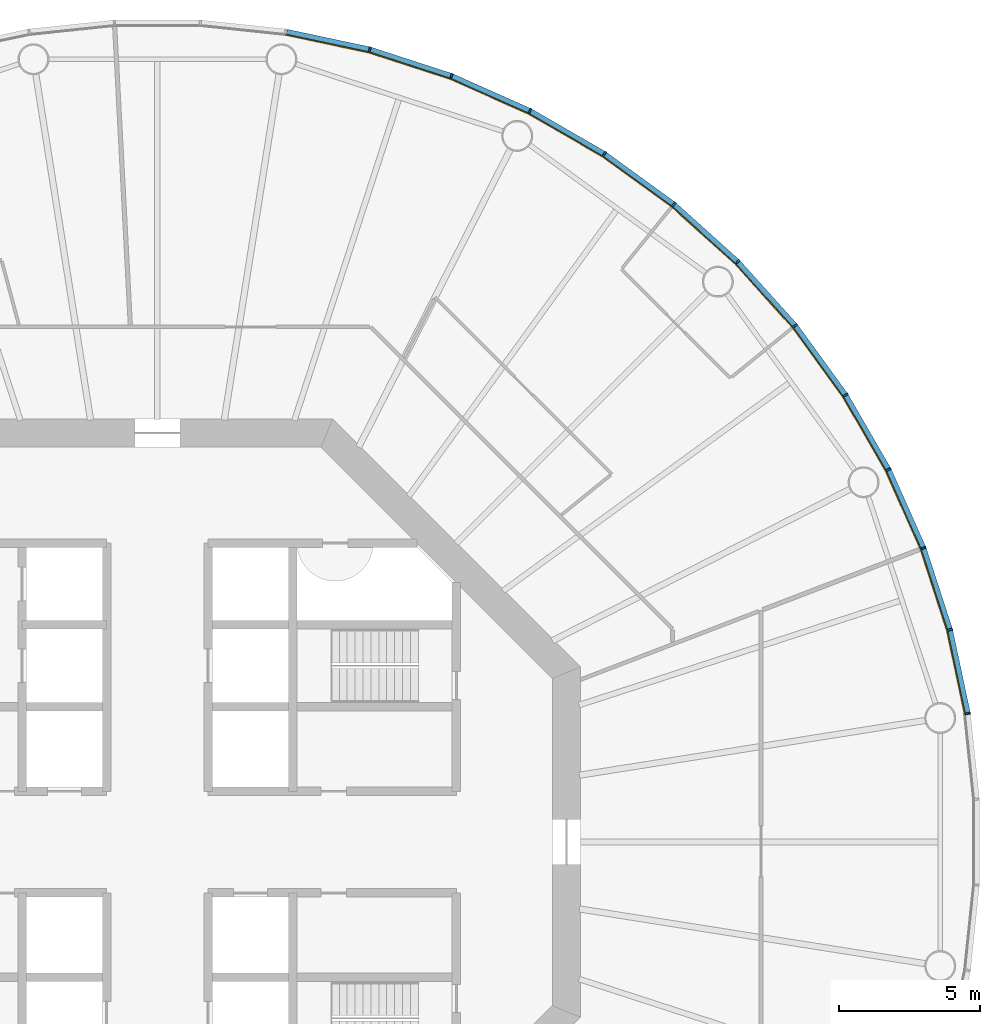
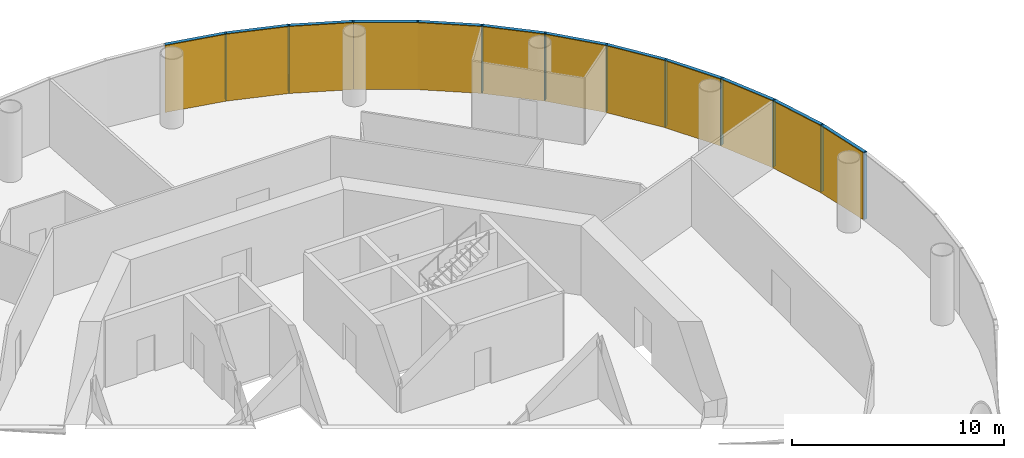
# One storey, part 12 of 13: 24 members, 4 curtain walls.
"""IFC4 building model written with IfcOpenShell, lengths in metres."""

from ifc_helpers import new_model, si_unit, direction, frame, origin, origin_2d, place, context, subcontext, project, spatial, polyline, rectangle, outline, extrude, material, layer, layer_set, material_profile, profile_set, type_object, element, aggregate, save


model = new_model("IFC4")

# Units and contexts
model_context = context("Model", 3, precision=1e-05, world=origin(), true_north=direction((0.0, 1.0)))
body_context = subcontext(model_context, "Body", "Model", "MODEL_VIEW")
ifc_project = project(units=[si_unit("LENGTHUNIT", "METRE"), si_unit("AREAUNIT", "SQUARE_METRE"), si_unit("VOLUMEUNIT", "CUBIC_METRE"), si_unit("PLANEANGLEUNIT", "RADIAN"), si_unit("MASSUNIT", "GRAM", prefix="KILO")], contexts=[model_context])

# Member
ifc_material_1 = material(Name="Anodised aluminium", Category="aluminium")
ifc_material_profile_1 = material_profile(ifc_material_1, rectangle(XDim=0.06494140625, YDim=0.18505859375, at=origin_2d()), Name="Mullion 65 x 185 mm anodised aluminium")
ifc_profile_set_1 = profile_set([ifc_material_profile_1], Name="Anodised aluminium")
member_type_1 = type_object("IfcMemberType", Name="Mullion 65 x 185 mm anodised aluminium", PredefinedType="MULLION", material=ifc_profile_set_1)
site_placement = place(None, origin())
building_placement = place(site_placement, origin())
storey_placement = place(building_placement, frame((0.0, 0.0, 188.0)))
member_1_placement = place(storey_placement, frame((118.734375, 84.551025390625, 0.0), z_axis=(0.0, 0.0, 1.0), x_axis=(-0.15643446504, 0.987688340595, 0.0)))
member_1 = element("IfcMember", 1, at=member_1_placement, type_object=member_type_1, Name="MULLION L43-00", PredefinedType="MULLION", context=body_context, shape_type="SweptSolid", body=[
    extrude(rectangle(XDim=0.06494140625, YDim=0.18505859375, at=origin_2d()), origin(), (0.0, 0.0, 1.0), 3.85009765625),
])

member_2_placement = place(storey_placement, frame((118.101318359375, 87.52978515625, 0.0), z_axis=(0.0, 0.0, 1.0), x_axis=(-0.258819045103, 0.965925826289, 0.0)))
member_2 = element("IfcMember", 2, at=member_2_placement, type_object=member_type_1, Name="MULLION L43-01", PredefinedType="MULLION", context=body_context, shape_type="SweptSolid", body=[
    extrude(rectangle(XDim=0.06494140625, YDim=0.18505859375, at=origin_2d()), origin(), (0.0, 0.0, 1.0), 3.85009765625),
])

member_3_placement = place(storey_placement, frame((117.16015625, 90.42578125, 0.0), z_axis=(0.0, 0.0, 1.0), x_axis=(-0.358367949545, 0.933580426497, 0.0)))
member_3 = element("IfcMember", 3, at=member_3_placement, type_object=member_type_1, Name="MULLION L43-02", PredefinedType="MULLION", context=body_context, shape_type="SweptSolid", body=[
    extrude(rectangle(XDim=0.06494140625, YDim=0.18505859375, at=origin_2d()), origin(), (0.0, 0.0, 1.0), 3.85009765625),
])

member_4_placement = place(storey_placement, frame((115.921630859375, 93.207763671875, 0.0), z_axis=(0.0, 0.0, 1.0), x_axis=(-0.45399049974, 0.891006524188, 0.0)))
member_4 = element("IfcMember", 4, at=member_4_placement, type_object=member_type_1, Name="MULLION L43-03", PredefinedType="MULLION", context=body_context, shape_type="SweptSolid", body=[
    extrude(rectangle(XDim=0.06494140625, YDim=0.18505859375, at=origin_2d()), origin(), (0.0, 0.0, 1.0), 3.85009765625),
])

member_5_placement = place(storey_placement, frame((114.39892578125, 95.844970703125, 0.0), z_axis=(0.0, 0.0, 1.0), x_axis=(-0.544639035015, 0.838670567945, 0.0)))
member_5 = element("IfcMember", 5, at=member_5_placement, type_object=member_type_1, Name="MULLION L43-04", PredefinedType="MULLION", context=body_context, shape_type="SweptSolid", body=[
    extrude(rectangle(XDim=0.06494140625, YDim=0.18505859375, at=origin_2d()), origin(), (0.0, 0.0, 1.0), 3.85009765625),
])

member_6_placement = place(storey_placement, frame((112.609130859375, 98.30859375, 0.0), z_axis=(0.0, 0.0, 1.0), x_axis=(-0.62932039105, 0.777145961457, 0.0)))
member_6 = element("IfcMember", 6, at=member_6_placement, type_object=member_type_1, Name="MULLION L43-05", PredefinedType="MULLION", context=body_context, shape_type="SweptSolid", body=[
    extrude(rectangle(XDim=0.06494140625, YDim=0.18505859375, at=origin_2d()), origin(), (0.0, 0.0, 1.0), 3.85009765625),
])

member_7_placement = place(storey_placement, frame((110.571533203125, 100.571533203125, 0.0), z_axis=(0.0, 0.0, 1.0), x_axis=(-0.707106781187, 0.707106781187, 0.0)))
member_7 = element("IfcMember", 7, at=member_7_placement, type_object=member_type_1, Name="MULLION L43-06", PredefinedType="MULLION", context=body_context, shape_type="SweptSolid", body=[
    extrude(rectangle(XDim=0.06494140625, YDim=0.18505859375, at=origin_2d()), origin(), (0.0, 0.0, 1.0), 3.85009765625),
])

member_8_placement = place(storey_placement, frame((108.30859375, 102.609130859375, 0.0), z_axis=(0.0, 0.0, 1.0), x_axis=(-0.777145961457, 0.62932039105, 0.0)))
member_8 = element("IfcMember", 8, at=member_8_placement, type_object=member_type_1, Name="MULLION L43-07", PredefinedType="MULLION", context=body_context, shape_type="SweptSolid", body=[
    extrude(rectangle(XDim=0.06494140625, YDim=0.18505859375, at=origin_2d()), origin(), (0.0, 0.0, 1.0), 3.85009765625),
])

member_9_placement = place(storey_placement, frame((105.844970703125, 104.39892578125, 0.0), z_axis=(0.0, 0.0, 1.0), x_axis=(-0.838670567945, 0.544639035015, 0.0)))
member_9 = element("IfcMember", 9, at=member_9_placement, type_object=member_type_1, Name="MULLION L43-08", PredefinedType="MULLION", context=body_context, shape_type="SweptSolid", body=[
    extrude(rectangle(XDim=0.06494140625, YDim=0.18505859375, at=origin_2d()), origin(), (0.0, 0.0, 1.0), 3.85009765625),
])

member_10_placement = place(storey_placement, frame((103.207763671875, 105.921630859375, 0.0), z_axis=(0.0, 0.0, 1.0), x_axis=(-0.891006524188, 0.45399049974, 0.0)))
member_10 = element("IfcMember", 10, at=member_10_placement, type_object=member_type_1, Name="MULLION L43-09", PredefinedType="MULLION", context=body_context, shape_type="SweptSolid", body=[
    extrude(rectangle(XDim=0.06494140625, YDim=0.18505859375, at=origin_2d()), origin(), (0.0, 0.0, 1.0), 3.85009765625),
])

member_11_placement = place(storey_placement, frame((100.42578125, 107.16015625, 0.0), z_axis=(0.0, 0.0, 1.0), x_axis=(-0.933580426497, 0.358367949545, 0.0)))
member_11 = element("IfcMember", 11, at=member_11_placement, type_object=member_type_1, Name="MULLION L43-10", PredefinedType="MULLION", context=body_context, shape_type="SweptSolid", body=[
    extrude(rectangle(XDim=0.06494140625, YDim=0.18505859375, at=origin_2d()), origin(), (0.0, 0.0, 1.0), 3.85009765625),
])

member_12_placement = place(storey_placement, frame((97.52978515625, 108.101318359375, 0.0), z_axis=(0.0, 0.0, 1.0), x_axis=(-0.965925826289, 0.258819045103, 0.0)))
member_12 = element("IfcMember", 12, at=member_12_placement, type_object=member_type_1, Name="MULLION L43-11", PredefinedType="MULLION", context=body_context, shape_type="SweptSolid", body=[
    extrude(rectangle(XDim=0.06494140625, YDim=0.18505859375, at=origin_2d()), origin(), (0.0, 0.0, 1.0), 3.85009765625),
])

ifc_material_2 = material(Name="Anodised aluminium", Category="aluminium")
ifc_material_profile_2 = material_profile(ifc_material_2, rectangle(XDim=0.18505859375, YDim=0.175048828125, at=origin_2d()), Name="Transom 175 x 185 mm anodised aluminium")
ifc_profile_set_2 = profile_set([ifc_material_profile_2], Name="Anodised aluminium")
member_type_2 = type_object("IfcMemberType", Name="Transom 175 x 185 mm anodised aluminium", PredefinedType="USERDEFINED", material=ifc_profile_set_2)
member_13_placement = place(storey_placement, frame((118.7265625, 84.587646484375, 3.762451171875), z_axis=(-0.207861704825, 0.97815822425, 0.0), x_axis=(-0.97815822425, -0.207861704825, 0.0)))
member_13 = element("IfcMember", 13, at=member_13_placement, type_object=member_type_2, Name="TRANSOM L43-00", ObjectType="TRANSOM", PredefinedType="USERDEFINED", context=body_context, shape_type="SweptSolid", body=[
    extrude(rectangle(XDim=0.18505859375, YDim=0.175048828125, at=origin_2d()), origin(), (0.0, 0.0, 1.0), 2.970458984375),
])

member_14_placement = place(storey_placement, frame((118.08984375, 87.565185546875, 3.762451171875), z_axis=(-0.30901917063, 0.951055809184, 0.0), x_axis=(-0.951055809184, -0.30901917063, 0.0)))
member_14 = element("IfcMember", 14, at=member_14_placement, type_object=member_type_2, Name="TRANSOM L43-01", ObjectType="TRANSOM", PredefinedType="USERDEFINED", context=body_context, shape_type="SweptSolid", body=[
    extrude(rectangle(XDim=0.18505859375, YDim=0.175048828125, at=origin_2d()), origin(), (0.0, 0.0, 1.0), 2.970703125),
])

member_15_placement = place(storey_placement, frame((117.14501953125, 90.4599609375, 3.762451171875), z_axis=(-0.406687471156, 0.913567348806, 0.0), x_axis=(-0.913567348806, -0.406687471156, 0.0)))
member_15 = element("IfcMember", 15, at=member_15_placement, type_object=member_type_2, Name="TRANSOM L43-02", ObjectType="TRANSOM", PredefinedType="USERDEFINED", context=body_context, shape_type="SweptSolid", body=[
    extrude(rectangle(XDim=0.18505859375, YDim=0.175048828125, at=origin_2d()), origin(), (0.0, 0.0, 1.0), 2.970458984375),
])

member_16_placement = place(storey_placement, frame((115.903076171875, 93.240234375, 3.762451171875), z_axis=(-0.500028367561, 0.866009025146, 0.0), x_axis=(-0.866009025146, -0.500028367561, 0.0)))
member_16 = element("IfcMember", 16, at=member_16_placement, type_object=member_type_2, Name="TRANSOM L43-03", ObjectType="TRANSOM", PredefinedType="USERDEFINED", context=body_context, shape_type="SweptSolid", body=[
    extrude(rectangle(XDim=0.18505859375, YDim=0.175048828125, at=origin_2d()), origin(), (0.0, 0.0, 1.0), 2.970458984375),
])

member_17_placement = place(storey_placement, frame((114.377197265625, 95.875244140625, 3.762451171875), z_axis=(-0.587819781808, 0.808991906087, 0.0), x_axis=(-0.808991906087, -0.587819781808, 0.0)))
member_17 = element("IfcMember", 17, at=member_17_placement, type_object=member_type_2, Name="TRANSOM L43-04", ObjectType="TRANSOM", PredefinedType="USERDEFINED", context=body_context, shape_type="SweptSolid", body=[
    extrude(rectangle(XDim=0.18505859375, YDim=0.175048828125, at=origin_2d()), origin(), (0.0, 0.0, 1.0), 2.970458984375),
])

member_18_placement = place(storey_placement, frame((112.584228515625, 98.33642578125, 3.762451171875), z_axis=(-0.669110027395, 0.743163354343, 0.0), x_axis=(-0.743163354343, -0.669110027395, 0.0)))
member_18 = element("IfcMember", 18, at=member_18_placement, type_object=member_type_2, Name="TRANSOM L43-05", ObjectType="TRANSOM", PredefinedType="USERDEFINED", context=body_context, shape_type="SweptSolid", body=[
    extrude(rectangle(XDim=0.18505859375, YDim=0.175048828125, at=origin_2d()), origin(), (0.0, 0.0, 1.0), 2.970458984375),
])

member_19_placement = place(storey_placement, frame((110.5439453125, 100.5966796875, 3.762451171875), z_axis=(-0.743163354343, 0.669110027395, 0.0), x_axis=(-0.669110027395, -0.743163354343, 0.0)))
member_19 = element("IfcMember", 19, at=member_19_placement, type_object=member_type_2, Name="TRANSOM L43-06", ObjectType="TRANSOM", PredefinedType="USERDEFINED", context=body_context, shape_type="SweptSolid", body=[
    extrude(rectangle(XDim=0.18505859375, YDim=0.175048828125, at=origin_2d()), origin(), (0.0, 0.0, 1.0), 2.970458984375),
])

member_20_placement = place(storey_placement, frame((108.2783203125, 102.631103515625, 3.762451171875), z_axis=(-0.808991906087, 0.587819781808, 0.0), x_axis=(-0.587819781808, -0.808991906087, 0.0)))
member_20 = element("IfcMember", 20, at=member_20_placement, type_object=member_type_2, Name="TRANSOM L43-07", ObjectType="TRANSOM", PredefinedType="USERDEFINED", context=body_context, shape_type="SweptSolid", body=[
    extrude(rectangle(XDim=0.18505859375, YDim=0.175048828125, at=origin_2d()), origin(), (0.0, 0.0, 1.0), 2.970458984375),
])

member_21_placement = place(storey_placement, frame((105.812744140625, 104.417724609375, 3.762451171875), z_axis=(-0.866009025146, 0.500028367561, 0.0), x_axis=(-0.500028367561, -0.866009025146, 0.0)))
member_21 = element("IfcMember", 21, at=member_21_placement, type_object=member_type_2, Name="TRANSOM L43-08", ObjectType="TRANSOM", PredefinedType="USERDEFINED", context=body_context, shape_type="SweptSolid", body=[
    extrude(rectangle(XDim=0.18505859375, YDim=0.175048828125, at=origin_2d()), origin(), (0.0, 0.0, 1.0), 2.970458984375),
])

member_22_placement = place(storey_placement, frame((103.173583984375, 105.93701171875, 3.762451171875), z_axis=(-0.913567348806, 0.406687471156, 0.0), x_axis=(-0.406687471156, -0.913567348806, 0.0)))
member_22 = element("IfcMember", 22, at=member_22_placement, type_object=member_type_2, Name="TRANSOM L43-09", ObjectType="TRANSOM", PredefinedType="USERDEFINED", context=body_context, shape_type="SweptSolid", body=[
    extrude(rectangle(XDim=0.18505859375, YDim=0.175048828125, at=origin_2d()), origin(), (0.0, 0.0, 1.0), 2.970458984375),
])

member_23_placement = place(storey_placement, frame((100.390380859375, 107.171875, 3.762451171875), z_axis=(-0.951055809184, 0.30901917063, 0.0), x_axis=(-0.30901917063, -0.951055809184, 0.0)))
member_23 = element("IfcMember", 23, at=member_23_placement, type_object=member_type_2, Name="TRANSOM L43-10", ObjectType="TRANSOM", PredefinedType="USERDEFINED", context=body_context, shape_type="SweptSolid", body=[
    extrude(rectangle(XDim=0.18505859375, YDim=0.175048828125, at=origin_2d()), origin(), (0.0, 0.0, 1.0), 2.970703125),
])

member_24_placement = place(storey_placement, frame((97.4931640625, 108.109130859375, 3.762451171875), z_axis=(-0.97815822425, 0.207861704825, 0.0), x_axis=(-0.207861704825, -0.97815822425, 0.0)))
member_24 = element("IfcMember", 24, at=member_24_placement, type_object=member_type_2, Name="TRANSOM L43-11", ObjectType="TRANSOM", PredefinedType="USERDEFINED", context=body_context, shape_type="SweptSolid", body=[
    extrude(rectangle(XDim=0.18505859375, YDim=0.175048828125, at=origin_2d()), origin(), (0.0, 0.0, 1.0), 2.970458984375),
])

# Site, building, storey
site = spatial("IfcSite", under=ifc_project, at=site_placement, CompositionType="ELEMENT")
building = spatial("IfcBuilding", under=site, at=building_placement, Name="Entoto Ring Tower", CompositionType="ELEMENT")
storey = spatial("IfcBuildingStorey", under=building, at=storey_placement, Name="L43", CompositionType="ELEMENT", Elevation=188.0)

# Curtain wall
ifc_material_3 = material(Name="Clear low-iron glass", Category="glass")
ifc_layer = layer(ifc_material_3, 0.033935546875)
ifc_layer_set = layer_set([ifc_layer], Name="Clear low-iron glass")
curtain_wall_type = type_object("IfcCurtainWallType", Name="Curtain wall system CW3 glazing 34 mm", PredefinedType="NOTDEFINED", material=ifc_layer_set)
curtain_wall_1_placement = place(storey_placement, origin())
curtain_wall_1 = element("IfcCurtainWall", 25, at=curtain_wall_1_placement, inside=storey, type_object=curtain_wall_type, Name="CW3 L43-01", PredefinedType="NOTDEFINED", context=body_context, shape_type="SweptSolid", body=[
    extrude(outline(polyline([(118.64306640625, 84.53662109375), (118.011962890625, 87.505859375), (117.07373046875, 90.392578125), (115.839111328125, 93.165771484375), (115.808837890625, 93.150146484375), (117.0419921875, 90.38037109375), (117.97900390625, 87.496826171875), (118.609375, 84.53125), (118.64306640625, 84.53662109375)])), origin(), (0.0, 0.0, 1.0), 3.85009765625),
])

aggregate(curtain_wall_1, [member_1, member_2, member_3, member_13, member_14, member_15])

curtain_wall_2_placement = place(storey_placement, origin())
curtain_wall_2 = element("IfcCurtainWall", 26, at=curtain_wall_2_placement, inside=storey, type_object=curtain_wall_type, Name="CW3 L43-02", PredefinedType="NOTDEFINED", context=body_context, shape_type="SweptSolid", body=[
    extrude(outline(polyline([(115.839111328125, 93.165771484375), (114.321533203125, 95.79443359375), (112.537353515625, 98.250244140625), (110.506103515625, 100.506103515625), (110.48193359375, 100.48193359375), (112.5107421875, 98.228759765625), (114.29296875, 95.77587890625), (115.808837890625, 93.150146484375), (115.839111328125, 93.165771484375)])), origin(), (0.0, 0.0, 1.0), 3.85009765625),
])

aggregate(curtain_wall_2, [member_4, member_5, member_6, member_16, member_17, member_18])

curtain_wall_3_placement = place(storey_placement, origin())
curtain_wall_3 = element("IfcCurtainWall", 27, at=curtain_wall_3_placement, inside=storey, type_object=curtain_wall_type, Name="CW3 L43-03", PredefinedType="NOTDEFINED", context=body_context, shape_type="SweptSolid", body=[
    extrude(outline(polyline([(110.506103515625, 100.506103515625), (108.250244140625, 102.537353515625), (105.79443359375, 104.321533203125), (103.165771484375, 105.839111328125), (103.150146484375, 105.808837890625), (105.77587890625, 104.29296875), (108.228759765625, 102.5107421875), (110.48193359375, 100.48193359375), (110.506103515625, 100.506103515625)])), origin(), (0.0, 0.0, 1.0), 3.85009765625),
])

aggregate(curtain_wall_3, [member_7, member_8, member_9, member_19, member_20, member_21])

curtain_wall_4_placement = place(storey_placement, origin())
curtain_wall_4 = element("IfcCurtainWall", 28, at=curtain_wall_4_placement, inside=storey, type_object=curtain_wall_type, Name="CW3 L43-04", PredefinedType="NOTDEFINED", context=body_context, shape_type="SweptSolid", body=[
    extrude(outline(polyline([(103.165771484375, 105.839111328125), (100.392578125, 107.07373046875), (97.505859375, 108.011962890625), (94.53662109375, 108.64306640625), (94.53125, 108.609375), (97.496826171875, 107.97900390625), (100.38037109375, 107.0419921875), (103.150146484375, 105.808837890625), (103.165771484375, 105.839111328125)])), origin(), (0.0, 0.0, 1.0), 3.85009765625),
])

aggregate(curtain_wall_4, [member_10, member_11, member_12, member_22, member_23, member_24])

save(model, "model.ifc")
